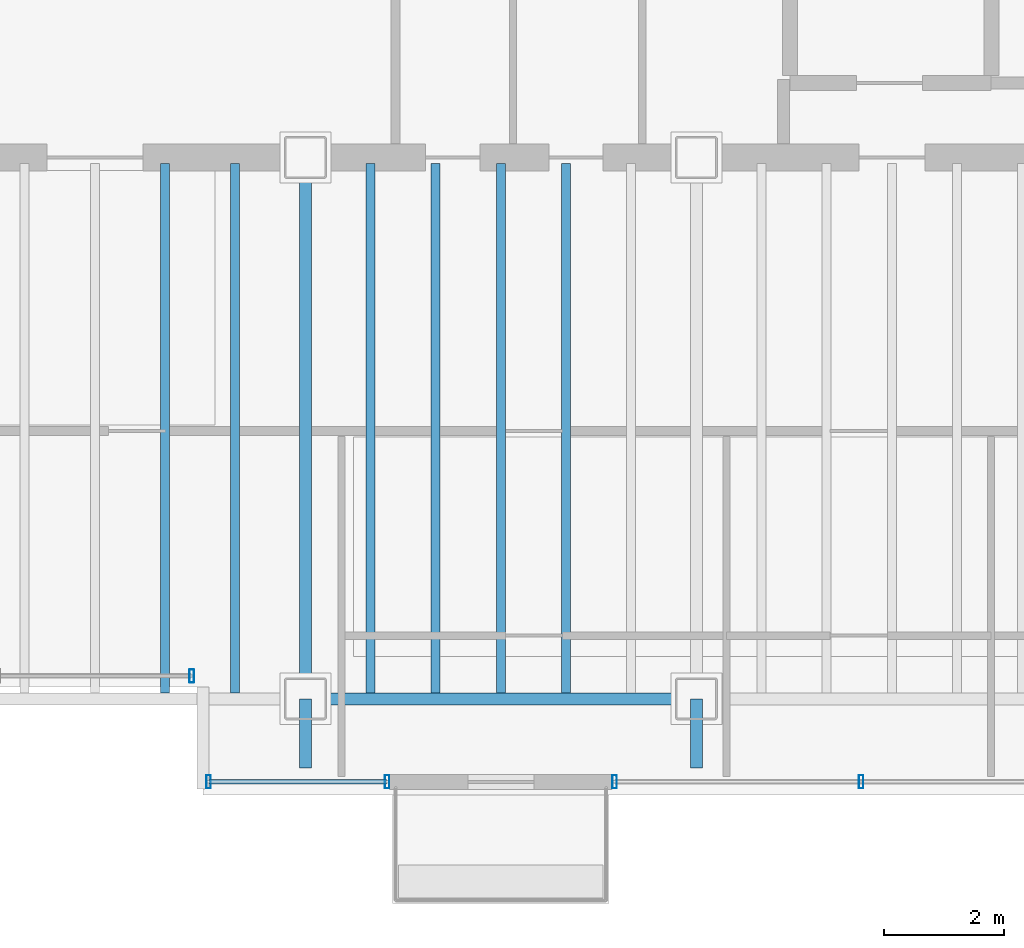
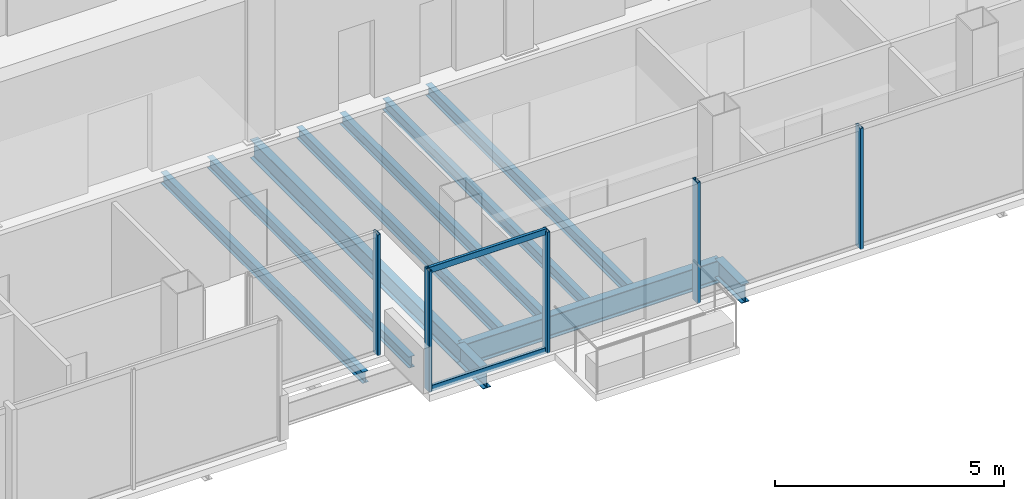
# One storey, part 6 of 17: 10 beams, 7 members, 3 elements without a shape of their own.
"""IFC4 building model written with IfcOpenShell, lengths in metres."""

from ifc_helpers import new_model, si_unit, direction, frame, origin, origin_2d, place, context, subcontext, project, spatial, hollow_rectangle, i_section, extrude, material, material_profile, profile_set, type_object, element, aggregate, save


model = new_model("IFC4")

# Units and contexts
model_context = context("Model", 3, precision=1e-05, world=origin(), true_north=direction((0.0, 1.0)))
body_context = subcontext(model_context, "Body", "Model", "MODEL_VIEW")
ifc_project = project(units=[si_unit("LENGTHUNIT", "METRE"), si_unit("AREAUNIT", "SQUARE_METRE"), si_unit("VOLUMEUNIT", "CUBIC_METRE"), si_unit("PLANEANGLEUNIT", "RADIAN"), si_unit("MASSUNIT", "GRAM", prefix="KILO")], contexts=[model_context])

# Site, building, storey
site_placement = place(None, origin())
site = spatial("IfcSite", under=ifc_project, at=site_placement, CompositionType="ELEMENT")
building_placement = place(site_placement, origin())
building = spatial("IfcBuilding", under=site, at=building_placement, Name="Noeulbin Bourse Tower", CompositionType="ELEMENT")
storey_placement = place(building_placement, frame((0.0, 0.0, 293.0)))
storey = spatial("IfcBuildingStorey", under=building, at=storey_placement, Name="L73", CompositionType="ELEMENT", Elevation=293.0)

# Beams
ifc_material_1 = material(Name="Steel S355", Category="steel")
ifc_material_profile_1 = material_profile(ifc_material_1, i_section(OverallWidth=0.199951171875, OverallDepth=0.5, WebThickness=0.010009765625, FlangeThickness=0.01611328125, FilletRadius=0.02001953125, at=origin_2d()), Name="H-500x200x10x16", Category="LoadBearing")
ifc_profile_set_1 = profile_set([ifc_material_profile_1], Name="Steel S355")
beam_type_1 = type_object("IfcBeamType", Name="BM-GRD-500", PredefinedType="USERDEFINED", material=ifc_profile_set_1)
beam_1_placement = place(storey_placement, frame((31.0, 18.85009765625, -0.429931640625), z_axis=(0.0, 1.0, 0.0), x_axis=(-1.0, 0.0, 0.0)))
element("IfcBeam", 1, at=beam_1_placement, inside=storey, type_object=beam_type_1, Name="Tower Primary Girder NS L73-3.1", ObjectType="GIRDER", PredefinedType="USERDEFINED", context=body_context, shape_type="SweptSolid", body=[
    extrude(i_section(OverallWidth=0.199951171875, OverallDepth=0.5, WebThickness=0.010009765625, FlangeThickness=0.01611328125, FilletRadius=0.02001953125, at=origin_2d()), origin(), (0.0, 0.0, 1.0), 1.14990234375),
])
beam_2_placement = place(storey_placement, frame((31.0, 20.0, -0.429931640625), z_axis=(0.0, 1.0, 0.0), x_axis=(-1.0, 0.0, 0.0)))
element("IfcBeam", 2, at=beam_2_placement, inside=storey, type_object=beam_type_1, Name="Tower Primary Girder NS L73-3.2", ObjectType="GIRDER", PredefinedType="USERDEFINED", context=body_context, shape_type="SweptSolid", body=[
    extrude(i_section(OverallWidth=0.199951171875, OverallDepth=0.5, WebThickness=0.010009765625, FlangeThickness=0.01611328125, FilletRadius=0.02001953125, at=origin_2d()), origin(), (0.0, 0.0, 1.0), 9.0),
])
beam_3_placement = place(storey_placement, frame((37.5, 18.85009765625, -0.429931640625), z_axis=(0.0, 1.0, 0.0), x_axis=(-1.0, 0.0, 0.0)))
element("IfcBeam", 3, at=beam_3_placement, inside=storey, type_object=beam_type_1, Name="Tower Primary Girder NS L73-4.1", ObjectType="GIRDER", PredefinedType="USERDEFINED", context=body_context, shape_type="SweptSolid", body=[
    extrude(i_section(OverallWidth=0.199951171875, OverallDepth=0.5, WebThickness=0.010009765625, FlangeThickness=0.01611328125, FilletRadius=0.02001953125, at=origin_2d()), origin(), (0.0, 0.0, 1.0), 1.14990234375),
])
ifc_material_profile_2 = material_profile(ifc_material_1, i_section(OverallWidth=0.199951171875, OverallDepth=0.60009765625, WebThickness=0.010986328125, FlangeThickness=0.01708984375, FilletRadius=0.02197265625, at=origin_2d()), Name="H-600x200x11x17", Category="LoadBearing")
ifc_profile_set_2 = profile_set([ifc_material_profile_2], Name="Steel S355")
beam_type_2 = type_object("IfcBeamType", Name="BM-GRD-600", PredefinedType="USERDEFINED", material=ifc_profile_set_2)
beam_4_placement = place(storey_placement, frame((31.0, 20.0, -0.47998046875), z_axis=(1.0, 0.0, 0.0), x_axis=(0.0, 1.0, 0.0)))
element("IfcBeam", 4, at=beam_4_placement, inside=storey, type_object=beam_type_2, Name="Tower Primary Girder EW L73-1.2", ObjectType="GIRDER", PredefinedType="USERDEFINED", context=body_context, shape_type="SweptSolid", body=[
    extrude(i_section(OverallWidth=0.199951171875, OverallDepth=0.60009765625, WebThickness=0.010986328125, FlangeThickness=0.01708984375, FilletRadius=0.02197265625, at=origin_2d()), origin(), (0.0, 0.0, 1.0), 6.5),
])
ifc_material_profile_3 = material_profile(ifc_material_1, i_section(OverallWidth=0.14990234375, OverallDepth=0.300048828125, WebThickness=0.006591796875, FlangeThickness=0.009033203125, FilletRadius=0.012939453125, at=origin_2d()), Name="H-300x150x6.5x9", Category="LoadBearing")
ifc_profile_set_3 = profile_set([ifc_material_profile_3], Name="Steel S355")
beam_type_3 = type_object("IfcBeamType", Name="BM-JST-300", PredefinedType="JOIST", material=ifc_profile_set_3)
for number, where, z_axis, x_axis, name in (
    (5, (28.666748046875, 20.10009765625, -0.330078125), (0.0, 1.0, 0.0), (-1.0, 0.0, 0.0), "Tower Composite Joist L73-07"),
    (6, (29.833251953125, 20.10009765625, -0.330078125), (0.0, 1.0, 0.0), (-1.0, 0.0, 0.0), "Tower Composite Joist L73-09"),
    (7, (32.083251953125, 20.10009765625, -0.330078125), (0.0, 1.0, 0.0), (-1.0, 0.0, 0.0), "Tower Composite Joist L73-11"),
    (8, (33.166748046875, 20.10009765625, -0.330078125), (0.0, 1.0, 0.0), (-1.0, 0.0, 0.0), "Tower Composite Joist L73-13"),
    (9, (34.25, 20.10009765625, -0.330078125), (0.0, 1.0, 0.0), (-1.0, 0.0, 0.0), "Tower Composite Joist L73-15"),
    (10, (35.333251953125, 20.10009765625, -0.330078125), (0.0, 1.0, 0.0), (-1.0, 0.0, 0.0), "Tower Composite Joist L73-17"),
):
    element("IfcBeam", number, at=place(storey_placement, frame(where, z_axis=z_axis, x_axis=x_axis)), inside=storey, type_object=beam_type_3, Name=name, PredefinedType="JOIST", context=body_context, shape_type="SweptSolid", body=[
        extrude(i_section(OverallWidth=0.14990234375, OverallDepth=0.300048828125, WebThickness=0.006591796875, FlangeThickness=0.009033203125, FilletRadius=0.012939453125, at=origin_2d()), origin(), (0.0, 0.0, 1.0), 8.7998046875),
    ])

# Curtain wall, member
ifc_material_2 = material(Name="High-Selectivity Low-Iron Glazing", Category="glass")
curtain_wall_type = type_object("IfcCurtainWallType", Name="CW-SYS-4", PredefinedType="NOTDEFINED", material=ifc_material_2)
curtain_wall_1_placement = place(storey_placement, origin())
curtain_wall_1 = element("IfcCurtainWall", 11, at=curtain_wall_1_placement, inside=storey, type_object=curtain_wall_type, Name="Unitised Curtain Wall CW-L73-SREC", PredefinedType="NOTDEFINED")
ifc_material_3 = material(Name="Anodised Aluminium 6063-T6", Category="aluminium")
ifc_material_profile_4 = material_profile(ifc_material_3, hollow_rectangle(XDim=0.074951171875, YDim=0.219970703125, WallThickness=0.0048828125, InnerFilletRadius=0.00244140625, OuterFilletRadius=0.0048828125, at=origin_2d()), Name="ALU-MULL-75x220x5", Category="LoadBearing")
ifc_profile_set_4 = profile_set([ifc_material_profile_4], Name="Anodised Aluminium 6063-T6")
member_type_1 = type_object("IfcMemberType", Name="CW-SYS-4-MUL", PredefinedType="MULLION", material=ifc_profile_set_4)
member_1_placement = place(storey_placement, frame((29.110107421875, 20.3798828125, -0.02001953125), z_axis=(0.0, 0.0, 1.0), x_axis=(1.0, 0.0, 0.0)))
member_1 = element("IfcMember", 12, at=member_1_placement, type_object=member_type_1, Name="Curtain Wall Mullion CW-L73-SREC-M01", PredefinedType="MULLION", context=body_context, shape_type="SweptSolid", body=[
    extrude(hollow_rectangle(XDim=0.074951171875, YDim=0.219970703125, WallThickness=0.0048828125, InnerFilletRadius=0.00244140625, OuterFilletRadius=0.0048828125, at=origin_2d()), origin(), (0.0, 0.0, 1.0), 3.219970703125),
])
aggregate(curtain_wall_1, [member_1])

# Curtain wall, members
curtain_wall_2_placement = place(storey_placement, origin())
curtain_wall_2 = element("IfcCurtainWall", 13, at=curtain_wall_2_placement, inside=storey, type_object=curtain_wall_type, Name="Unitised Curtain Wall CW-L73-S2", PredefinedType="NOTDEFINED")
member_2_placement = place(storey_placement, frame((29.389892578125, 18.6201171875, -0.02001953125), z_axis=(0.0, 0.0, 1.0), x_axis=(1.0, 0.0, 0.0)))
member_2 = element("IfcMember", 14, at=member_2_placement, type_object=member_type_1, Name="Curtain Wall Mullion CW-L73-S2-M00", PredefinedType="MULLION", context=body_context, shape_type="SweptSolid", body=[
    extrude(hollow_rectangle(XDim=0.074951171875, YDim=0.219970703125, WallThickness=0.0048828125, InnerFilletRadius=0.00244140625, OuterFilletRadius=0.0048828125, at=origin_2d()), origin(), (0.0, 0.0, 1.0), 3.219970703125),
])
member_3_placement = place(storey_placement, frame((32.360107421875, 18.6201171875, -0.02001953125), z_axis=(0.0, 0.0, 1.0), x_axis=(1.0, 0.0, 0.0)))
member_3 = element("IfcMember", 15, at=member_3_placement, type_object=member_type_1, Name="Curtain Wall Mullion CW-L73-S2-M01", PredefinedType="MULLION", context=body_context, shape_type="SweptSolid", body=[
    extrude(hollow_rectangle(XDim=0.074951171875, YDim=0.219970703125, WallThickness=0.0048828125, InnerFilletRadius=0.00244140625, OuterFilletRadius=0.0048828125, at=origin_2d()), origin(), (0.0, 0.0, 1.0), 3.219970703125),
])

curtain_wall_3_placement = place(storey_placement, origin())
curtain_wall_3 = element("IfcCurtainWall", 16, at=curtain_wall_3_placement, inside=storey, type_object=curtain_wall_type, Name="Unitised Curtain Wall CW-L73-S3", PredefinedType="NOTDEFINED")
member_4_placement = place(storey_placement, frame((36.139892578125, 18.6201171875, -0.02001953125), z_axis=(0.0, 0.0, 1.0), x_axis=(1.0, 0.0, 0.0)))
member_4 = element("IfcMember", 17, at=member_4_placement, type_object=member_type_1, Name="Curtain Wall Mullion CW-L73-S3-M00", PredefinedType="MULLION", context=body_context, shape_type="SweptSolid", body=[
    extrude(hollow_rectangle(XDim=0.074951171875, YDim=0.219970703125, WallThickness=0.0048828125, InnerFilletRadius=0.00244140625, OuterFilletRadius=0.0048828125, at=origin_2d()), origin(), (0.0, 0.0, 1.0), 3.219970703125),
])
member_5_placement = place(storey_placement, frame((40.239990234375, 18.6201171875, -0.02001953125), z_axis=(0.0, 0.0, 1.0), x_axis=(1.0, 0.0, 0.0)))
member_5 = element("IfcMember", 18, at=member_5_placement, type_object=member_type_1, Name="Curtain Wall Mullion CW-L73-S3-M01", PredefinedType="MULLION", context=body_context, shape_type="SweptSolid", body=[
    extrude(hollow_rectangle(XDim=0.074951171875, YDim=0.219970703125, WallThickness=0.0048828125, InnerFilletRadius=0.00244140625, OuterFilletRadius=0.0048828125, at=origin_2d()), origin(), (0.0, 0.0, 1.0), 3.219970703125),
])
aggregate(curtain_wall_3, [member_4, member_5])

# Member
ifc_material_profile_5 = material_profile(ifc_material_3, hollow_rectangle(XDim=0.074951171875, YDim=0.159912109375, WallThickness=0.0048828125, InnerFilletRadius=0.00244140625, OuterFilletRadius=0.0048828125, at=origin_2d()), Name="ALU-TRAN-75x160x5", Category="LoadBearing")
ifc_profile_set_5 = profile_set([ifc_material_profile_5], Name="Anodised Aluminium 6063-T6")
member_type_2 = type_object("IfcMemberType", Name="CW-SYS-4-TRN", PredefinedType="USERDEFINED", material=ifc_profile_set_5)
member_6_placement = place(storey_placement, frame((29.39990234375, 18.6201171875, 0.010009765625), z_axis=(1.0, 0.0, 0.0), x_axis=(0.0, 1.0, 0.0)))
member_6 = element("IfcMember", 19, at=member_6_placement, type_object=member_type_2, Name="Curtain Wall Transom CW-L73-S2-T00", ObjectType="TRANSOM", PredefinedType="USERDEFINED", context=body_context, shape_type="SweptSolid", body=[
    extrude(hollow_rectangle(XDim=0.074951171875, YDim=0.159912109375, WallThickness=0.0048828125, InnerFilletRadius=0.00244140625, OuterFilletRadius=0.0048828125, at=origin_2d()), origin(), (0.0, 0.0, 1.0), 2.9501953125),
])

member_7_placement = place(storey_placement, frame((29.39990234375, 18.6201171875, 3.169921875), z_axis=(1.0, 0.0, 0.0), x_axis=(0.0, 1.0, 0.0)))
member_7 = element("IfcMember", 20, at=member_7_placement, type_object=member_type_2, Name="Curtain Wall Transom CW-L73-S2-T01", ObjectType="TRANSOM", PredefinedType="USERDEFINED", context=body_context, shape_type="SweptSolid", body=[
    extrude(hollow_rectangle(XDim=0.074951171875, YDim=0.159912109375, WallThickness=0.0048828125, InnerFilletRadius=0.00244140625, OuterFilletRadius=0.0048828125, at=origin_2d()), origin(), (0.0, 0.0, 1.0), 2.9501953125),
])

aggregate(curtain_wall_2, [member_2, member_3, member_6, member_7])

save(model, "model.ifc")
